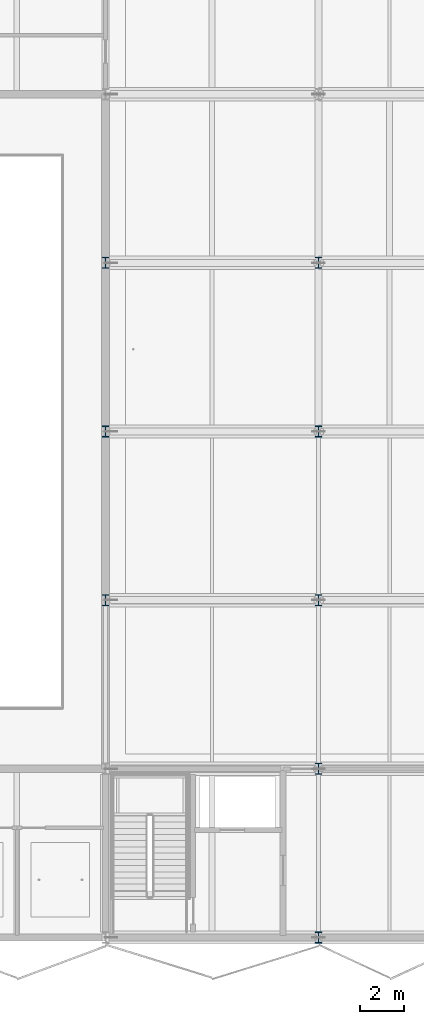
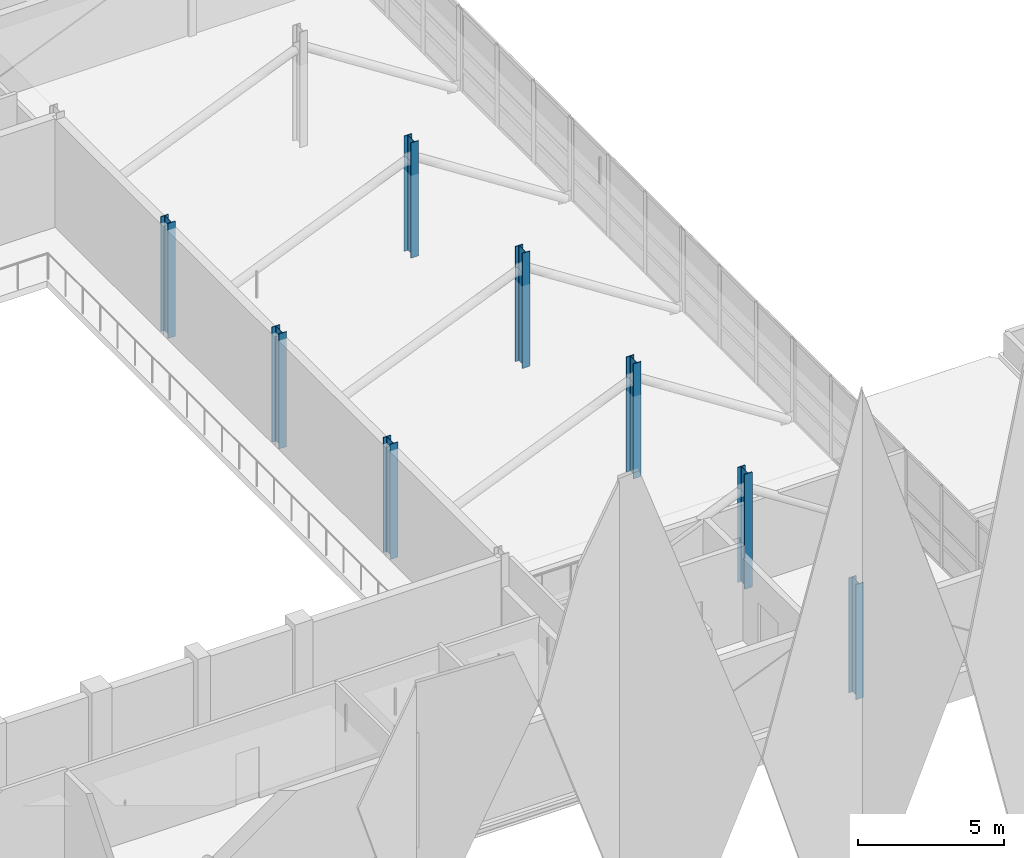
# One storey, part 2 of 107: 8 columns.
"""IFC4 building model written with IfcOpenShell, lengths in metres."""

from ifc_helpers import new_model, si_unit, direction, frame, origin, origin_2d, place, context, subcontext, project, spatial, i_section, extrude, material, material_profile, profile_set, type_object, element, save


model = new_model("IFC4")

# Units and contexts
model_context = context("Model", 3, precision=1e-05, world=origin(), true_north=direction((0.0, 1.0)))
body_context = subcontext(model_context, "Body", "Model", "MODEL_VIEW")
ifc_project = project(units=[si_unit("LENGTHUNIT", "METRE"), si_unit("AREAUNIT", "SQUARE_METRE"), si_unit("VOLUMEUNIT", "CUBIC_METRE"), si_unit("PLANEANGLEUNIT", "RADIAN"), si_unit("MASSUNIT", "GRAM", prefix="KILO")], contexts=[model_context])

# Site, building, storey
site_placement = place(None, origin())
site = spatial("IfcSite", under=ifc_project, at=site_placement, CompositionType="ELEMENT")
building_placement = place(site_placement, origin())
building = spatial("IfcBuilding", under=site, at=building_placement, Name="Khelvaren Railside Concert Hall", CompositionType="ELEMENT")
storey_placement = place(building_placement, frame((0.0, 0.0, 15.0)))
storey = spatial("IfcBuildingStorey", under=building, at=storey_placement, Name="L03", CompositionType="ELEMENT", Elevation=15.0)

# Columns
ifc_material = material(Name="Steel S355", Category="steel")
ifc_material_profile_1 = material_profile(ifc_material, i_section(OverallWidth=0.300048828125, OverallDepth=0.5, WebThickness=0.014404296875, FlangeThickness=0.028076171875, FilletRadius=0.027099609375, at=origin_2d()), Name="HEB 500")
ifc_profile_set_1 = profile_set([ifc_material_profile_1], Name="Steel S355")
column_type_1 = type_object("IfcColumnType", Name="COL15", PredefinedType="COLUMN", material=ifc_profile_set_1)
column_placement = place(storey_placement, frame((49.60009765625, 0.0, 0.0), z_axis=(0.0, 0.0, 1.0), x_axis=(1.0, 0.0, 0.0)))
element("IfcColumn", 1, at=column_placement, inside=storey, type_object=column_type_1, Name="V1 L03 Column (49.6,0.0)", PredefinedType="COLUMN", context=body_context, shape_type="SweptSolid", body=[
    extrude(i_section(OverallWidth=0.300048828125, OverallDepth=0.5, WebThickness=0.014404296875, FlangeThickness=0.028076171875, FilletRadius=0.027099609375, at=origin_2d()), origin(), (0.0, 0.0, 1.0), 4.800048828125),
])
ifc_material_profile_2 = material_profile(ifc_material, i_section(OverallWidth=0.300048828125, OverallDepth=0.5, WebThickness=0.014404296875, FlangeThickness=0.028076171875, FilletRadius=0.027099609375, at=origin_2d()), Name="HEB 500")
ifc_profile_set_2 = profile_set([ifc_material_profile_2], Name="Steel S355")
column_type_2 = type_object("IfcColumnType", Name="COL25", PredefinedType="COLUMN", material=ifc_profile_set_2)
for number, where, z_axis, x_axis, name in (
    (2, (40.0, 15.199951171875, 0.0), (0.0, 0.0, 1.0), (1.0, 0.0, 0.0), "V1 L03 Column (40.0,15.2)"),
    (3, (40.0, 22.800048828125, 0.0), (0.0, 0.0, 1.0), (1.0, 0.0, 0.0), "V1 L03 Column (40.0,22.8)"),
    (4, (40.0, 30.39990234375, 0.0), (0.0, 0.0, 1.0), (1.0, 0.0, 0.0), "V1 L03 Column (40.0,30.4)"),
    (5, (49.60009765625, 7.60009765625, 0.0), (0.0, 0.0, 1.0), (1.0, 0.0, 0.0), "V1 L03 Column (49.6,7.6)"),
    (6, (49.60009765625, 15.199951171875, 0.0), (0.0, 0.0, 1.0), (1.0, 0.0, 0.0), "V1 L03 Column (49.6,15.2)"),
    (7, (49.60009765625, 22.800048828125, 0.0), (0.0, 0.0, 1.0), (1.0, 0.0, 0.0), "V1 L03 Column (49.6,22.8)"),
    (8, (49.60009765625, 30.39990234375, 0.0), (0.0, 0.0, 1.0), (1.0, 0.0, 0.0), "V1 L03 Column (49.6,30.4)"),
):
    element("IfcColumn", number, at=place(storey_placement, frame(where, z_axis=z_axis, x_axis=x_axis)), inside=storey, type_object=column_type_2, Name=name, PredefinedType="COLUMN", context=body_context, shape_type="SweptSolid", body=[
        extrude(i_section(OverallWidth=0.300048828125, OverallDepth=0.5, WebThickness=0.014404296875, FlangeThickness=0.028076171875, FilletRadius=0.027099609375, at=origin_2d()), origin(), (0.0, 0.0, 1.0), 4.800048828125),
    ])

save(model, "model.ifc")
